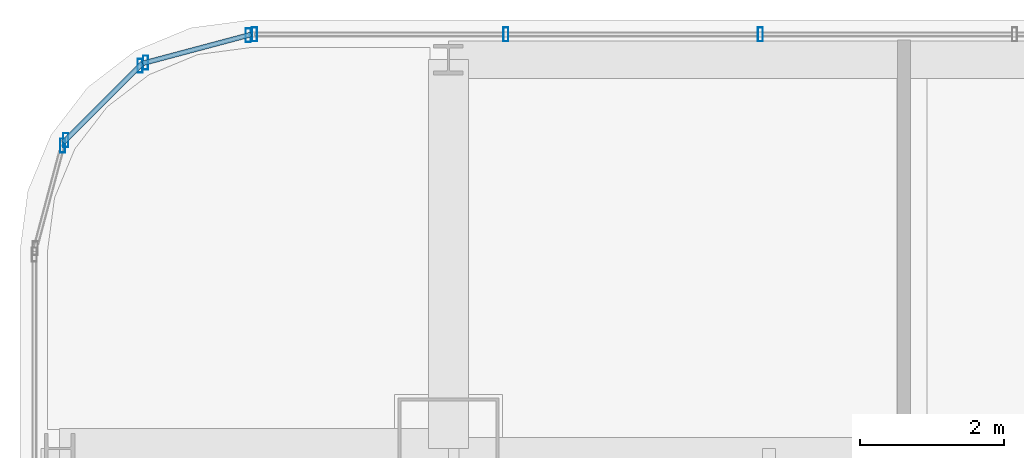
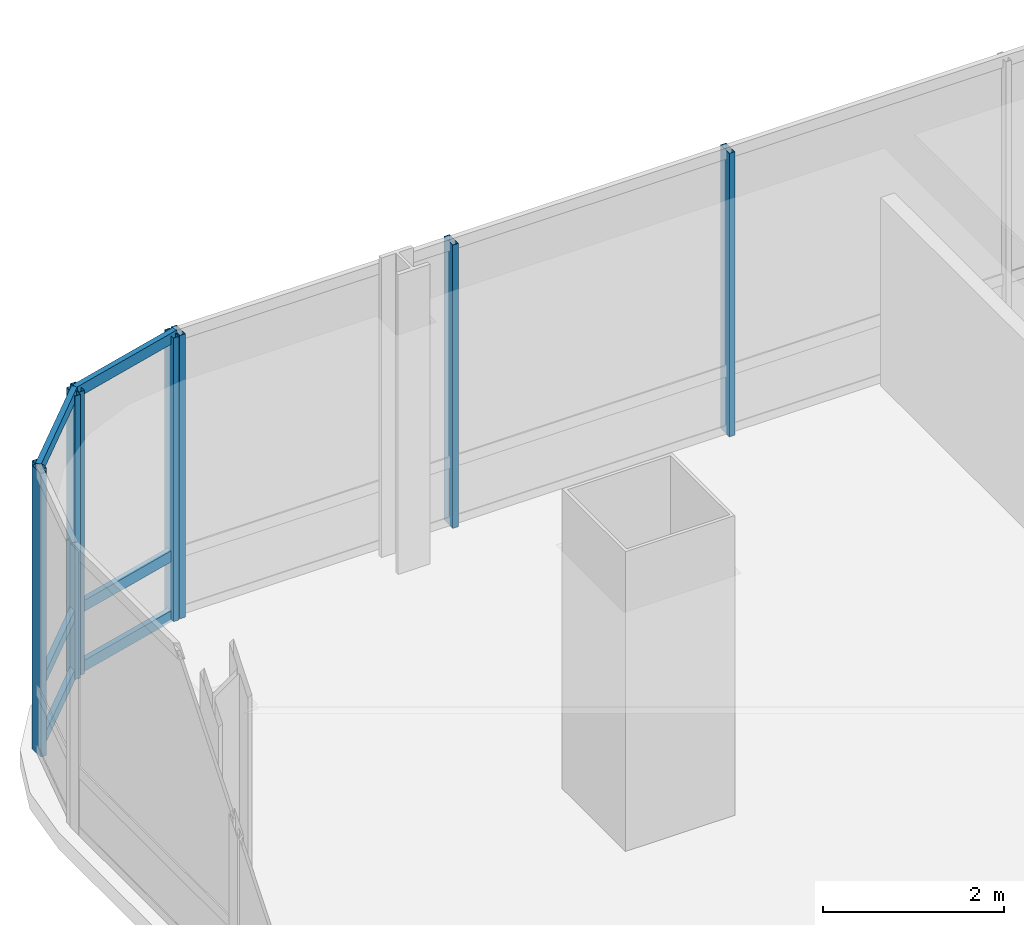
# One storey, part 21 of 38: 14 members, 4 elements without a shape of their own.
"""IFC4 building model written with IfcOpenShell, lengths in metres."""

from ifc_helpers import new_model, si_unit, direction, frame, origin, origin_2d, place, context, subcontext, project, spatial, hollow_rectangle, extrude, material, material_profile, profile_set, type_object, element, aggregate, save


model = new_model("IFC4")

# Units and contexts
model_context = context("Model", 3, precision=1e-05, world=origin(), true_north=direction((0.0, 1.0)))
body_context = subcontext(model_context, "Body", "Model", "MODEL_VIEW")
ifc_project = project(units=[si_unit("LENGTHUNIT", "METRE"), si_unit("AREAUNIT", "SQUARE_METRE"), si_unit("VOLUMEUNIT", "CUBIC_METRE"), si_unit("PLANEANGLEUNIT", "RADIAN"), si_unit("MASSUNIT", "GRAM", prefix="KILO")], contexts=[model_context])

# Site, building, storey
site_placement = place(None, origin())
site = spatial("IfcSite", under=ifc_project, at=site_placement, CompositionType="ELEMENT")
building_placement = place(site_placement, origin())
building = spatial("IfcBuilding", under=site, at=building_placement, Name="Punatoya Terracotta Tower", CompositionType="ELEMENT")
storey_placement = place(building_placement, frame((0.0, 0.0, 160.050048828125)))
storey = spatial("IfcBuildingStorey", under=building, at=storey_placement, Name="L37", CompositionType="ELEMENT", Elevation=160.050048828125)

# Curtain wall, members
ifc_material_1 = material(Name="Aluminium 6063-T6 + Double Low-E Glass", Category="aluminium")
curtain_wall_type = type_object("IfcCurtainWallType", Name="CW-M2", PredefinedType="NOTDEFINED", material=ifc_material_1)
curtain_wall_1_placement = place(storey_placement, origin())
curtain_wall_1 = element("IfcCurtainWall", 1, at=curtain_wall_1_placement, inside=storey, type_object=curtain_wall_type, Name="L37 Curtain Wall CW-L37-N09-1", PredefinedType="NOTDEFINED")
ifc_material_2 = material(Name="Aluminium 6063-T6", Category="aluminium")
ifc_material_profile_1 = material_profile(ifc_material_2, hollow_rectangle(XDim=0.072021484375, YDim=0.195068359375, WallThickness=0.00439453125, at=origin_2d()))
ifc_profile_set_1 = profile_set([ifc_material_profile_1], Name="Aluminium 6063-T6")
member_type_1 = type_object("IfcMemberType", Name="CW-MUL-M2", PredefinedType="MULLION", material=ifc_profile_set_1)
member_1_placement = place(storey_placement, frame((-14.768798828125, 23.25, 0.0), z_axis=(0.0, 0.0, 1.0), x_axis=(1.0, 0.0, 0.0)))
member_1 = element("IfcMember", 2, at=member_1_placement, type_object=member_type_1, Name="CW-L37-N09-1 Mullion 09", PredefinedType="MULLION", context=body_context, shape_type="SweptSolid", body=[
    extrude(hollow_rectangle(XDim=0.072021484375, YDim=0.195068359375, WallThickness=0.00439453125, at=origin_2d()), origin(), (0.0, 0.0, 1.0), 3.829833984375),
])
member_2_placement = place(storey_placement, frame((-18.302978515625, 23.25, 0.0), z_axis=(0.0, 0.0, 1.0), x_axis=(1.0, 0.0, 0.0)))
member_2 = element("IfcMember", 3, at=member_2_placement, type_object=member_type_1, Name="CW-L37-N09-1 Mullion 10", PredefinedType="MULLION", context=body_context, shape_type="SweptSolid", body=[
    extrude(hollow_rectangle(XDim=0.072021484375, YDim=0.195068359375, WallThickness=0.00439453125, at=origin_2d()), origin(), (0.0, 0.0, 1.0), 3.829833984375),
])
member_3_placement = place(storey_placement, frame((-21.7919921875, 23.25, 0.0), z_axis=(0.0, 0.0, 1.0), x_axis=(1.0, 0.0, 0.0)))
member_3 = element("IfcMember", 4, at=member_3_placement, type_object=member_type_1, Name="CW-L37-N09-1 Mullion 11", PredefinedType="MULLION", context=body_context, shape_type="SweptSolid", body=[
    extrude(hollow_rectangle(XDim=0.072021484375, YDim=0.195068359375, WallThickness=0.00439453125, at=origin_2d()), origin(), (0.0, 0.0, 1.0), 3.829833984375),
])
aggregate(curtain_wall_1, [member_1, member_2, member_3])

curtain_wall_2_placement = place(storey_placement, origin())
curtain_wall_2 = element("IfcCurtainWall", 5, at=curtain_wall_2_placement, inside=storey, type_object=curtain_wall_type, Name="L37 Curtain Wall CW-L37-CRN10", PredefinedType="NOTDEFINED")
member_4_placement = place(storey_placement, frame((-21.88037109375, 23.23828125, 0.0), z_axis=(0.0, 0.0, 1.0), x_axis=(1.0, 0.0, 0.0)))
member_4 = element("IfcMember", 6, at=member_4_placement, type_object=member_type_1, Name="CW-L37-CRN10 Mullion 00", PredefinedType="MULLION", context=body_context, shape_type="SweptSolid", body=[
    extrude(hollow_rectangle(XDim=0.072021484375, YDim=0.195068359375, WallThickness=0.00439453125, at=origin_2d()), origin(), (0.0, 0.0, 1.0), 3.829833984375),
])
member_5_placement = place(storey_placement, frame((-23.3056640625, 22.858154296875, 0.0), z_axis=(0.0, 0.0, 1.0), x_axis=(1.0, 0.0, 0.0)))
member_5 = element("IfcMember", 7, at=member_5_placement, type_object=member_type_1, Name="CW-L37-CRN10 Mullion 01", PredefinedType="MULLION", context=body_context, shape_type="SweptSolid", body=[
    extrude(hollow_rectangle(XDim=0.072021484375, YDim=0.195068359375, WallThickness=0.00439453125, at=origin_2d()), origin(), (0.0, 0.0, 1.0), 3.829833984375),
])

curtain_wall_3_placement = place(storey_placement, origin())
curtain_wall_3 = element("IfcCurtainWall", 8, at=curtain_wall_3_placement, inside=storey, type_object=curtain_wall_type, Name="L37 Curtain Wall CW-L37-CRN11", PredefinedType="NOTDEFINED")
member_6_placement = place(storey_placement, frame((-23.380859375, 22.814697265625, 0.0), z_axis=(0.0, 0.0, 1.0), x_axis=(1.0, 0.0, 0.0)))
member_6 = element("IfcMember", 9, at=member_6_placement, type_object=member_type_1, Name="CW-L37-CRN11 Mullion 00", PredefinedType="MULLION", context=body_context, shape_type="SweptSolid", body=[
    extrude(hollow_rectangle(XDim=0.072021484375, YDim=0.195068359375, WallThickness=0.00439453125, at=origin_2d()), origin(), (0.0, 0.0, 1.0), 3.829833984375),
])
member_7_placement = place(storey_placement, frame((-24.414794921875, 21.781005859375, 0.0), z_axis=(0.0, 0.0, 1.0), x_axis=(1.0, 0.0, 0.0)))
member_7 = element("IfcMember", 10, at=member_7_placement, type_object=member_type_1, Name="CW-L37-CRN11 Mullion 01", PredefinedType="MULLION", context=body_context, shape_type="SweptSolid", body=[
    extrude(hollow_rectangle(XDim=0.072021484375, YDim=0.195068359375, WallThickness=0.00439453125, at=origin_2d()), origin(), (0.0, 0.0, 1.0), 3.829833984375),
])

# Curtain wall, member
curtain_wall_4_placement = place(storey_placement, origin())
curtain_wall_4 = element("IfcCurtainWall", 11, at=curtain_wall_4_placement, inside=storey, type_object=curtain_wall_type, Name="L37 Curtain Wall CW-L37-CRN12", PredefinedType="NOTDEFINED")
member_8_placement = place(storey_placement, frame((-24.458251953125, 21.70556640625, 0.0), z_axis=(0.0, 0.0, 1.0), x_axis=(1.0, 0.0, 0.0)))
member_8 = element("IfcMember", 12, at=member_8_placement, type_object=member_type_1, Name="CW-L37-CRN12 Mullion 00", PredefinedType="MULLION", context=body_context, shape_type="SweptSolid", body=[
    extrude(hollow_rectangle(XDim=0.072021484375, YDim=0.195068359375, WallThickness=0.00439453125, at=origin_2d()), origin(), (0.0, 0.0, 1.0), 3.829833984375),
])
aggregate(curtain_wall_4, [member_8])

# Member
ifc_material_profile_2 = material_profile(ifc_material_2, hollow_rectangle(XDim=0.068115234375, YDim=0.14990234375, WallThickness=0.00390625, at=origin_2d()))
ifc_profile_set_2 = profile_set([ifc_material_profile_2], Name="Aluminium 6063-T6")
member_type_2 = type_object("IfcMemberType", Name="CW-TRN-TYP", PredefinedType="USERDEFINED", material=ifc_profile_set_2)
member_9_placement = place(storey_placement, frame((-21.8369140625, 23.25, 0.0400390625), z_axis=(-0.966224582397, -0.257701486942, 0.0), x_axis=(0.257701486942, -0.966224582397, 0.0)))
member_9 = element("IfcMember", 13, at=member_9_placement, type_object=member_type_2, Name="CW-L37-CRN10 Transom 1", ObjectType="TRANSOM", PredefinedType="USERDEFINED", context=body_context, shape_type="SweptSolid", body=[
    extrude(hollow_rectangle(XDim=0.068115234375, YDim=0.14990234375, WallThickness=0.00390625, at=origin_2d()), origin(), (0.0, 0.0, 1.0), 1.565185546875),
])

member_10_placement = place(storey_placement, frame((-21.8369140625, 23.25, 0.849853515625), z_axis=(-0.966224582397, -0.257701486942, 0.0), x_axis=(0.257701486942, -0.966224582397, 0.0)))
member_10 = element("IfcMember", 14, at=member_10_placement, type_object=member_type_2, Name="CW-L37-CRN10 Transom 2", ObjectType="TRANSOM", PredefinedType="USERDEFINED", context=body_context, shape_type="SweptSolid", body=[
    extrude(hollow_rectangle(XDim=0.068115234375, YDim=0.14990234375, WallThickness=0.00390625, at=origin_2d()), origin(), (0.0, 0.0, 1.0), 1.565185546875),
])

member_11_placement = place(storey_placement, frame((-21.8369140625, 23.25, 3.7900390625), z_axis=(-0.966224582397, -0.257701486942, 0.0), x_axis=(0.257701486942, -0.966224582397, 0.0)))
member_11 = element("IfcMember", 15, at=member_11_placement, type_object=member_type_2, Name="CW-L37-CRN10 Transom 3", ObjectType="TRANSOM", PredefinedType="USERDEFINED", context=body_context, shape_type="SweptSolid", body=[
    extrude(hollow_rectangle(XDim=0.068115234375, YDim=0.14990234375, WallThickness=0.00390625, at=origin_2d()), origin(), (0.0, 0.0, 1.0), 1.565185546875),
])

aggregate(curtain_wall_2, [member_4, member_5, member_9, member_10, member_11])

member_12_placement = place(storey_placement, frame((-23.34912109375, 22.8466796875, 0.0400390625), z_axis=(-0.707028130747, -0.707185422879, 0.0), x_axis=(0.707185422879, -0.707028130747, 0.0)))
member_12 = element("IfcMember", 16, at=member_12_placement, type_object=member_type_2, Name="CW-L37-CRN11 Transom 1", ObjectType="TRANSOM", PredefinedType="USERDEFINED", context=body_context, shape_type="SweptSolid", body=[
    extrude(hollow_rectangle(XDim=0.068115234375, YDim=0.14990234375, WallThickness=0.00390625, at=origin_2d()), origin(), (0.0, 0.0, 1.0), 1.55224609375),
])

member_13_placement = place(storey_placement, frame((-23.34912109375, 22.8466796875, 0.849853515625), z_axis=(-0.707028130747, -0.707185422879, 0.0), x_axis=(0.707185422879, -0.707028130747, 0.0)))
member_13 = element("IfcMember", 17, at=member_13_placement, type_object=member_type_2, Name="CW-L37-CRN11 Transom 2", ObjectType="TRANSOM", PredefinedType="USERDEFINED", context=body_context, shape_type="SweptSolid", body=[
    extrude(hollow_rectangle(XDim=0.068115234375, YDim=0.14990234375, WallThickness=0.00390625, at=origin_2d()), origin(), (0.0, 0.0, 1.0), 1.55224609375),
])

member_14_placement = place(storey_placement, frame((-23.34912109375, 22.8466796875, 3.7900390625), z_axis=(-0.707028130747, -0.707185422879, 0.0), x_axis=(0.707185422879, -0.707028130747, 0.0)))
member_14 = element("IfcMember", 18, at=member_14_placement, type_object=member_type_2, Name="CW-L37-CRN11 Transom 3", ObjectType="TRANSOM", PredefinedType="USERDEFINED", context=body_context, shape_type="SweptSolid", body=[
    extrude(hollow_rectangle(XDim=0.068115234375, YDim=0.14990234375, WallThickness=0.00390625, at=origin_2d()), origin(), (0.0, 0.0, 1.0), 1.55224609375),
])

aggregate(curtain_wall_3, [member_6, member_7, member_12, member_13, member_14])

save(model, "model.ifc")
